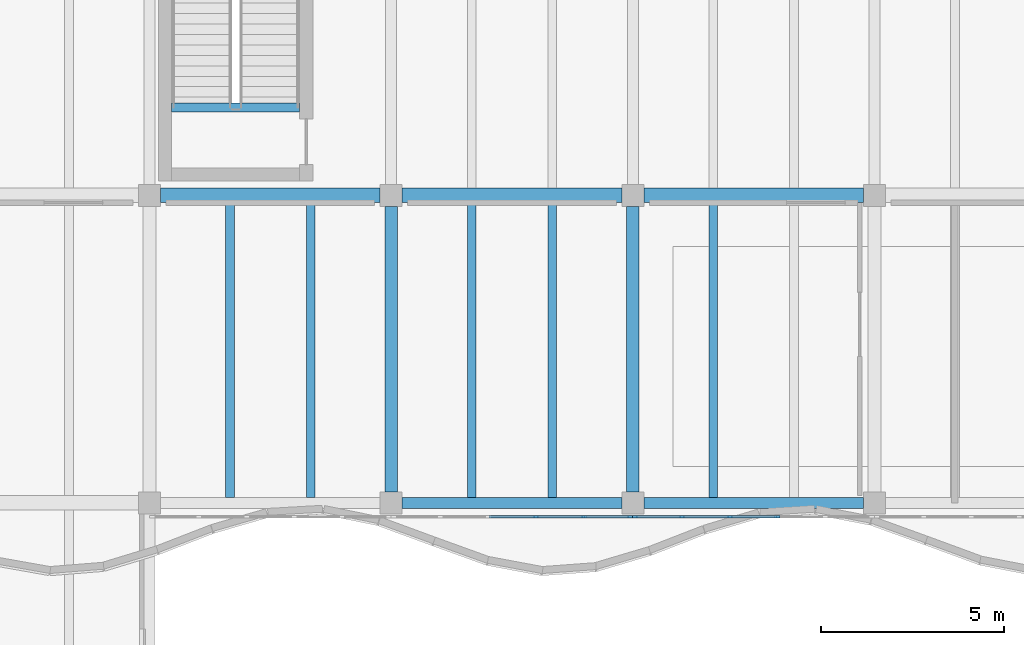
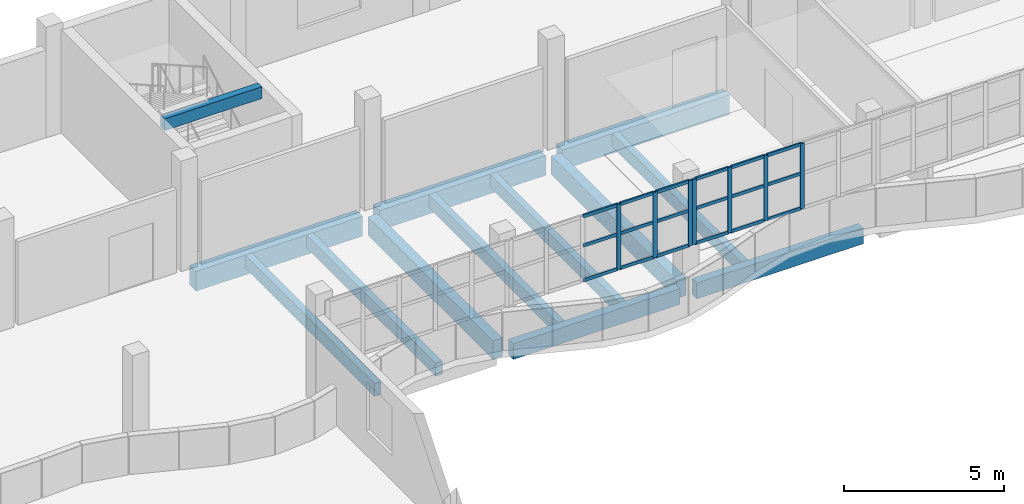
# One storey, part 11 of 74: 25 members, 13 beams, 2 elements without a shape of their own.
"""IFC4 building model written with IfcOpenShell, lengths in metres."""

import ifcopenshell
import ifcopenshell.guid

model = None  # the IFC model being written
_history = None  # IfcOwnerHistory: only IFC2X3 demands one
_inside = {}  # id of a spatial element -> (the spatial element, [elements in it])
_under = {}  # id of a project, library or spatial element -> (it, [spatial elements below it])
_declared = {}  # id of a project -> (the project, [libraries it declares])
_typed = {}  # id of a type object -> (the type object, [elements of that type])
_made_of = {}  # id of a material, layer set ... -> (it, [elements and type objects made of it])


def new_model(schema):
    """Start an empty IFC model of exactly this schema.

    Asked for "IFC4X3", IfcOpenShell would pick the latest addendum, in which some entities
    have other attributes; the version numbers below select the first issue.
    IFC2X3 requires an IfcOwnerHistory on every rooted entity: one is made here for all.
    """
    global model, _history
    if schema == "IFC4X3":
        model = ifcopenshell.file(schema_version=(4, 3, 0, 0))
    else:
        model = ifcopenshell.file(schema=schema)
    _inside.clear()
    _under.clear()
    _declared.clear()
    _typed.clear()
    _made_of.clear()
    _history = None
    if model.schema == "IFC2X3":
        org = make("IfcOrganization", Name="unknown")
        user = make(
            "IfcPersonAndOrganization",
            ThePerson=make("IfcPerson", FamilyName="unknown"),
            TheOrganization=org,
        )
        app = make(
            "IfcApplication",
            ApplicationDeveloper=org,
            Version="unknown",
            ApplicationFullName="unknown",
            ApplicationIdentifier="unknown",
        )
        _history = make(
            "IfcOwnerHistory",
            OwningUser=user,
            OwningApplication=app,
            ChangeAction="ADDED",
            CreationDate=0,
        )
    return model


def make(cls, **values):
    """One entity of the class cls with the attributes given. An attribute that is None is left unset."""
    return model.create_entity(
        cls, **{name: value for name, value in values.items() if value is not None}
    )


def rooted(cls, **values):
    """An entity with a GlobalId (a new one), such as an element, a storey or a relation."""
    return make(cls, GlobalId=ifcopenshell.guid.new(), OwnerHistory=_history, **values)


def si_unit(unit_type, name, prefix=None):
    """IfcSIUnit, for example si_unit("LENGTHUNIT", "METRE", prefix="MILLI")."""
    return make("IfcSIUnit", UnitType=unit_type, Prefix=prefix, Name=name)


def assignment(units):
    """IfcUnitAssignment: the units of a project."""
    return None if units is None else make("IfcUnitAssignment", Units=units)


def point(xyz):
    """IfcCartesianPoint."""
    return None if xyz is None else make("IfcCartesianPoint", Coordinates=xyz)


def direction(xyz):
    """IfcDirection."""
    return None if xyz is None else make("IfcDirection", DirectionRatios=xyz)


def frame(location, z_axis=None, x_axis=None):
    """IfcAxis2Placement3D, a coordinate frame: its origin and axes. An axis left out is left unset."""
    return make(
        "IfcAxis2Placement3D",
        Location=point(location),
        Axis=direction(z_axis),
        RefDirection=direction(x_axis),
    )


def frame_2d(location, x_axis=None):
    """IfcAxis2Placement2D, a coordinate frame in the plane: its origin and x axis."""
    return make(
        "IfcAxis2Placement2D", Location=point(location), RefDirection=direction(x_axis)
    )


def origin():
    """The frame at (0, 0, 0) with its axes left unset."""
    return frame((0.0, 0.0, 0.0))


def origin_2d():
    """The frame at (0, 0) in the plane with its x axis left unset."""
    return frame_2d((0.0, 0.0))


def place(relative_to, where):
    """IfcLocalPlacement: puts the frame where relative to a parent placement (None: the world)."""
    return make(
        "IfcLocalPlacement", PlacementRelTo=relative_to, RelativePlacement=where
    )


def context(
    kind, dimensions, precision=None, world=None, true_north=None, identifier=None
):
    """IfcGeometricRepresentationContext, for example the 3D "Model" context."""
    return make(
        "IfcGeometricRepresentationContext",
        ContextIdentifier=identifier,
        ContextType=kind,
        CoordinateSpaceDimension=dimensions,
        Precision=precision,
        WorldCoordinateSystem=world,
        TrueNorth=true_north,
    )


def subcontext(parent, identifier, kind, view, scale=None):
    """IfcGeometricRepresentationSubContext, for example "Body" below "Model"."""
    return make(
        "IfcGeometricRepresentationSubContext",
        ContextIdentifier=identifier,
        ContextType=kind,
        ParentContext=parent,
        TargetScale=scale,
        TargetView=view,
    )


def project(units=None, contexts=None):
    """IfcProject with its units and contexts."""
    return rooted(
        "IfcProject",
        Name="project",
        RepresentationContexts=contexts,
        UnitsInContext=assignment(units),
    )


def spatial(cls, under=None, at=None, **own):
    """A site, building, storey or space (cls), placed at a placement, below another one or the project."""
    s = rooted(cls, ObjectPlacement=at, **own)
    if under is not None:
        _under.setdefault(under.id(), (under, []))[1].append(s)
    return s


def profile(cls, at=None, kind="AREA", **sizes):
    """A parametric profile (cls). Its sizes go by their IFC names, for example OverallWidth=200.0."""
    return make(cls, ProfileType=kind, Position=at, **sizes)


def rectangle(**sizes):
    """IfcRectangleProfileDef."""
    return profile("IfcRectangleProfileDef", **sizes)


def extrude(swept, where, along, depth):
    """IfcExtrudedAreaSolid: the profile swept, set in the frame where, extruded along a direction by depth."""
    return make(
        "IfcExtrudedAreaSolid",
        SweptArea=swept,
        Position=where,
        ExtrudedDirection=direction(along),
        Depth=depth,
    )


def shape(context_of_items, identifier, shape_type, items):
    """IfcShapeRepresentation: the items that make up one representation, for example the "Body"."""
    return make(
        "IfcShapeRepresentation",
        ContextOfItems=context_of_items,
        RepresentationIdentifier=identifier,
        RepresentationType=shape_type,
        Items=items,
    )


def material(Name=None, Category=None):
    """IfcMaterial."""
    return make("IfcMaterial", Name=Name, Category=Category)


def material_profile(
    of_material, cross_section, Name=None, Category=None, Priority=None
):
    """IfcMaterialProfile: a cross section and its material."""
    return make(
        "IfcMaterialProfile",
        Name=Name,
        Material=of_material,
        Profile=cross_section,
        Priority=Priority,
        Category=Category,
    )


def profile_set(profiles, Name=None, composite=None):
    """IfcMaterialProfileSet."""
    return make(
        "IfcMaterialProfileSet",
        Name=Name,
        MaterialProfiles=profiles,
        CompositeProfile=composite,
    )


def made_of(thing, what):
    """Note that an element or type object is made of a material, layer set ...; save() writes the relation."""
    if what is not None:
        _made_of.setdefault(what.id(), (what, []))[1].append(thing)
    return thing


def type_object(cls, material=None, **own):
    """A type object (cls), such as IfcWallType, which elements share."""
    return made_of(rooted(cls, **own), material)


def element(
    cls,
    number,
    at=None,
    inside=None,
    cuts=None,
    type_object=None,
    material=None,
    context=None,
    identifier="Body",
    shape_type=None,
    held_by="IfcProductDefinitionShape",
    body=None,
    shapes=None,
    **own,
):
    """One element of the class cls, such as IfcWall. Its Tag is "e" and its number.

    at: its placement. inside: the storey or other place that contains it. cuts: it is an
    opening in that element (IfcRelVoidsElement). A single representation is given by context,
    identifier, shape_type and body (its items); several are given by shapes. held_by: the class
    of the entity that holds the representations. save() writes the other relations.
    """
    e = rooted(cls, Tag="e%d" % number, ObjectPlacement=at, **own)
    if body is not None:
        shapes = [shape(context, identifier, shape_type, body)]
    if shapes is not None:
        e.Representation = make(held_by, Representations=shapes)
    if inside is not None:
        _inside.setdefault(inside.id(), (inside, []))[1].append(e)
    if cuts is not None:
        rooted(
            "IfcRelVoidsElement", RelatingBuildingElement=cuts, RelatedOpeningElement=e
        )
    if type_object is not None:
        _typed.setdefault(type_object.id(), (type_object, []))[1].append(e)
    return made_of(e, material)


def aggregate(whole, parts):
    """IfcRelAggregates: a whole, such as a stair, and the parts it consists of."""
    return rooted("IfcRelAggregates", RelatingObject=whole, RelatedObjects=parts)


def save(model, path):
    """Write the relations noted so far, then the file.

    IfcRelAggregates (storeys below a building ...), IfcRelContainedInSpatialStructure (elements
    in a storey), IfcRelDefinesByType, IfcRelAssociatesMaterial and IfcRelDeclares: one each for
    every whole, place, type object, material and project.
    """
    for whole, parts in _under.values():
        aggregate(whole, parts)
    for where, things in _inside.values():
        rooted(
            "IfcRelContainedInSpatialStructure",
            RelatedElements=things,
            RelatingStructure=where,
        )
    for kind, things in _typed.values():
        rooted("IfcRelDefinesByType", RelatedObjects=things, RelatingType=kind)
    for what, things in _made_of.values():
        rooted("IfcRelAssociatesMaterial", RelatedObjects=things, RelatingMaterial=what)
    for by, libraries in _declared.values():
        rooted("IfcRelDeclares", RelatingContext=by, RelatedDefinitions=libraries)
    model.write(path)


model = new_model("IFC4")

# Units and contexts
model_context = context("Model", 3, precision=1e-05, world=origin(), true_north=direction((0.0, 1.0)))
body_context = subcontext(model_context, "Body", "Model", "MODEL_VIEW")
ifc_project = project(units=[si_unit("LENGTHUNIT", "METRE"), si_unit("AREAUNIT", "SQUARE_METRE"), si_unit("VOLUMEUNIT", "CUBIC_METRE"), si_unit("PLANEANGLEUNIT", "RADIAN"), si_unit("MASSUNIT", "GRAM", prefix="KILO")], contexts=[model_context])

# Site, building, storey
site_placement = place(None, origin())
site = spatial("IfcSite", under=ifc_project, at=site_placement, CompositionType="ELEMENT")
building_placement = place(site_placement, origin())
building = spatial("IfcBuilding", under=site, at=building_placement, Name="Qaldarim Faculty of Natural and Applied Sciences", CompositionType="ELEMENT")
storey_placement = place(building_placement, frame((0.0, 0.0, 14.39990234375)))
storey = spatial("IfcBuildingStorey", under=building, at=storey_placement, Name="L03", CompositionType="ELEMENT", Elevation=14.39990234375)

# Beams
ifc_material_1 = material(Name="Concrete C40/50", Category="concrete")
ifc_material_profile_1 = material_profile(ifc_material_1, rectangle(XDim=0.239990234375, YDim=0.5, at=origin_2d()), Name="RC-J240x500")
ifc_profile_set_1 = profile_set([ifc_material_profile_1], Name="Concrete C40/50")
beam_type_1 = type_object("IfcBeamType", Name="HeavyJoist-RC240x500", PredefinedType="JOIST", material=ifc_profile_set_1)
for number, where, z_axis, x_axis, name in (
    (1, (48.39990234375, 100.949951171875, -0.510009765625), (0.0, 1.0, 0.0), (-1.0, 0.0, 0.0), "Laboratory joist L02 bay X08Y13-1"),
    (2, (50.60009765625, 100.949951171875, -0.510009765625), (0.0, 1.0, 0.0), (-1.0, 0.0, 0.0), "Laboratory joist L02 bay X08Y13-2"),
    (3, (55.0, 100.949951171875, -0.510009765625), (0.0, 1.0, 0.0), (-1.0, 0.0, 0.0), "Laboratory joist L02 bay X09Y13-1"),
    (4, (57.199951171875, 100.949951171875, -0.510009765625), (0.0, 1.0, 0.0), (-1.0, 0.0, 0.0), "Laboratory joist L02 bay X09Y13-2"),
    (5, (61.60009765625, 100.949951171875, -0.510009765625), (0.0, 1.0, 0.0), (-1.0, 0.0, 0.0), "Laboratory joist L02 bay X10Y13-1"),
):
    element("IfcBeam", number, at=place(storey_placement, frame(where, z_axis=z_axis, x_axis=x_axis)), inside=storey, type_object=beam_type_1, Name=name, PredefinedType="JOIST", context=body_context, shape_type="SweptSolid", body=[
        extrude(rectangle(XDim=0.239990234375, YDim=0.5, at=origin_2d()), origin(), (0.0, 0.0, 1.0), 8.050048828125),
    ])
ifc_material_2 = material(Name="Concrete C50/60", Category="concrete")
ifc_material_profile_2 = material_profile(ifc_material_2, rectangle(XDim=0.39990234375, YDim=0.75, at=origin_2d()), Name="RC-B400x750")
ifc_profile_set_2 = profile_set([ifc_material_profile_2], Name="Concrete C50/60")
beam_type_2 = type_object("IfcBeamType", Name="LabGirder-RC400x750", PredefinedType="BEAM", material=ifc_profile_set_2)
for number, where, z_axis, x_axis, name in (
    (6, (46.5, 109.199951171875, -0.635009765625), (1.0, 0.0, 0.0), (0.0, 1.0, 0.0), "Beam RC-B400x750 L02 X08-X09/Y14"),
    (7, (53.10009765625, 109.199951171875, -0.635009765625), (1.0, 0.0, 0.0), (0.0, 1.0, 0.0), "Beam RC-B400x750 L02 X09-X10/Y14"),
    (8, (59.699951171875, 109.199951171875, -0.635009765625), (1.0, 0.0, 0.0), (0.0, 1.0, 0.0), "Beam RC-B400x750 L02 X10-X11/Y14"),
):
    element("IfcBeam", number, at=place(storey_placement, frame(where, z_axis=z_axis, x_axis=x_axis)), inside=storey, type_object=beam_type_2, Name=name, PredefinedType="BEAM", context=body_context, shape_type="SweptSolid", body=[
        extrude(rectangle(XDim=0.39990234375, YDim=0.75, at=origin_2d()), origin(), (0.0, 0.0, 1.0), 6.0),
    ])
ifc_material_profile_3 = material_profile(ifc_material_1, rectangle(XDim=0.25, YDim=0.449951171875, at=origin_2d()), Name="RC-LN250x450")
ifc_profile_set_3 = profile_set([ifc_material_profile_3], Name="Concrete C40/50")
beam_type_3 = type_object("IfcBeamType", Name="LandingSupportBeam-RC250x450", PredefinedType="BEAM", material=ifc_profile_set_3)
beam_placement = place(storey_placement, frame((46.800048828125, 111.60009765625, 3.715087890625), z_axis=(1.0, 0.0, 0.0), x_axis=(0.0, 1.0, 0.0)))
element("IfcBeam", 9, at=beam_placement, inside=storey, type_object=beam_type_3, Name="Stair arrival support beam ST-B2 L03", PredefinedType="BEAM", context=body_context, shape_type="SweptSolid", body=[
    extrude(rectangle(XDim=0.25, YDim=0.449951171875, at=origin_2d()), origin(), (0.0, 0.0, 1.0), 3.5),
])

# Curtain wall, members
ifc_material_3 = material(Name="Anodised aluminium AW-6063", Category="aluminium")
curtain_wall_type = type_object("IfcCurtainWallType", Name="CurtainWallSystem-M1400", PredefinedType="USERDEFINED", material=ifc_material_3)
curtain_wall_1_placement = place(storey_placement, origin())
curtain_wall_1 = element("IfcCurtainWall", 10, at=curtain_wall_1_placement, inside=storey, type_object=curtain_wall_type, Name="Curtain wall CW-V4RIB-L03-X09", ObjectType="STICK CURTAIN WALL", PredefinedType="USERDEFINED")
ifc_material_profile_4 = material_profile(ifc_material_3, rectangle(XDim=0.06005859375, YDim=0.14990234375, at=origin_2d()), Name="ALU-M60x150")
ifc_profile_set_4 = profile_set([ifc_material_profile_4], Name="Anodised aluminium AW-6063")
member_type_1 = type_object("IfcMemberType", Name="Mullion-ALU60x150", PredefinedType="MULLION", material=ifc_profile_set_4)
member_1_placement = place(storey_placement, frame((56.751953125, 100.419921875, 1.4501953125), z_axis=(0.0, 0.0, 1.0), x_axis=(0.0, 1.0, 0.0)))
member_1 = element("IfcMember", 11, at=member_1_placement, type_object=member_type_1, Name="Mullion 4 of CW-V4RIB-L03-X09", PredefinedType="MULLION", context=body_context, shape_type="SweptSolid", body=[
    extrude(rectangle(XDim=0.06005859375, YDim=0.14990234375, at=origin_2d()), origin(), (0.0, 0.0, 1.0), 2.489990234375),
])
member_2_placement = place(storey_placement, frame((58.055908203125, 100.419921875, 1.4501953125), z_axis=(0.0, 0.0, 1.0), x_axis=(0.0, 1.0, 0.0)))
member_2 = element("IfcMember", 12, at=member_2_placement, type_object=member_type_1, Name="Mullion 5 of CW-V4RIB-L03-X09", PredefinedType="MULLION", context=body_context, shape_type="SweptSolid", body=[
    extrude(rectangle(XDim=0.06005859375, YDim=0.14990234375, at=origin_2d()), origin(), (0.0, 0.0, 1.0), 2.489990234375),
])
member_3_placement = place(storey_placement, frame((59.330078125, 100.419921875, 1.4501953125), z_axis=(0.0, 0.0, 1.0), x_axis=(0.0, 1.0, 0.0)))
member_3 = element("IfcMember", 13, at=member_3_placement, type_object=member_type_1, Name="Mullion 6 of CW-V4RIB-L03-X09", PredefinedType="MULLION", context=body_context, shape_type="SweptSolid", body=[
    extrude(rectangle(XDim=0.06005859375, YDim=0.14990234375, at=origin_2d()), origin(), (0.0, 0.0, 1.0), 2.489990234375),
])

curtain_wall_2_placement = place(storey_placement, origin())
curtain_wall_2 = element("IfcCurtainWall", 14, at=curtain_wall_2_placement, inside=storey, type_object=curtain_wall_type, Name="Curtain wall CW-V4RIB-L03-X10", ObjectType="STICK CURTAIN WALL", PredefinedType="USERDEFINED")
member_4_placement = place(storey_placement, frame((59.469970703125, 100.419921875, 1.4501953125), z_axis=(0.0, 0.0, 1.0), x_axis=(0.0, 1.0, 0.0)))
member_4 = element("IfcMember", 15, at=member_4_placement, type_object=member_type_1, Name="Mullion 1 of CW-V4RIB-L03-X10", PredefinedType="MULLION", context=body_context, shape_type="SweptSolid", body=[
    extrude(rectangle(XDim=0.06005859375, YDim=0.14990234375, at=origin_2d()), origin(), (0.0, 0.0, 1.0), 2.489990234375),
])
member_5_placement = place(storey_placement, frame((60.743896484375, 100.419921875, 1.4501953125), z_axis=(0.0, 0.0, 1.0), x_axis=(0.0, 1.0, 0.0)))
member_5 = element("IfcMember", 16, at=member_5_placement, type_object=member_type_1, Name="Mullion 2 of CW-V4RIB-L03-X10", PredefinedType="MULLION", context=body_context, shape_type="SweptSolid", body=[
    extrude(rectangle(XDim=0.06005859375, YDim=0.14990234375, at=origin_2d()), origin(), (0.0, 0.0, 1.0), 2.489990234375),
])
member_6_placement = place(storey_placement, frame((62.048095703125, 100.419921875, 1.4501953125), z_axis=(0.0, 0.0, 1.0), x_axis=(0.0, 1.0, 0.0)))
member_6 = element("IfcMember", 17, at=member_6_placement, type_object=member_type_1, Name="Mullion 3 of CW-V4RIB-L03-X10", PredefinedType="MULLION", context=body_context, shape_type="SweptSolid", body=[
    extrude(rectangle(XDim=0.06005859375, YDim=0.14990234375, at=origin_2d()), origin(), (0.0, 0.0, 1.0), 2.489990234375),
])
member_7_placement = place(storey_placement, frame((63.35205078125, 100.419921875, 1.4501953125), z_axis=(0.0, 0.0, 1.0), x_axis=(0.0, 1.0, 0.0)))
member_7 = element("IfcMember", 18, at=member_7_placement, type_object=member_type_1, Name="Mullion 4 of CW-V4RIB-L03-X10", PredefinedType="MULLION", context=body_context, shape_type="SweptSolid", body=[
    extrude(rectangle(XDim=0.06005859375, YDim=0.14990234375, at=origin_2d()), origin(), (0.0, 0.0, 1.0), 2.489990234375),
])

# Beams
ifc_material_profile_5 = material_profile(ifc_material_1, rectangle(XDim=0.35009765625, YDim=0.699951171875, at=origin_2d()), Name="RC-B350x700")
ifc_profile_set_5 = profile_set([ifc_material_profile_5], Name="Concrete C40/50")
beam_type_4 = type_object("IfcBeamType", Name="PrimaryGirder-RC350x700", PredefinedType="BEAM", material=ifc_profile_set_5)
for number, where, z_axis, x_axis, name in (
    (19, (52.800048828125, 101.10009765625, -0.60986328125), (0.0, 1.0, 0.0), (-1.0, 0.0, 0.0), "Beam RC-B350x700 L02 X09/Y13-Y14"),
    (20, (59.39990234375, 101.10009765625, -0.60986328125), (0.0, 1.0, 0.0), (-1.0, 0.0, 0.0), "Beam RC-B350x700 L02 X10/Y13-Y14"),
):
    element("IfcBeam", number, at=place(storey_placement, frame(where, z_axis=z_axis, x_axis=x_axis)), inside=storey, type_object=beam_type_4, Name=name, PredefinedType="BEAM", context=body_context, shape_type="SweptSolid", body=[
        extrude(rectangle(XDim=0.35009765625, YDim=0.699951171875, at=origin_2d()), origin(), (0.0, 0.0, 1.0), 7.7998046875),
    ])
ifc_material_4 = material(Name="Precast concrete C40/50", Category="concrete")
ifc_material_profile_6 = material_profile(ifc_material_4, rectangle(XDim=0.300048828125, YDim=0.60009765625, at=origin_2d()), Name="RC-SP300x600")
ifc_profile_set_6 = profile_set([ifc_material_profile_6], Name="Precast concrete C40/50")
beam_type_5 = type_object("IfcBeamType", Name="SpandrelBeam-RC300x600", PredefinedType="SPANDREL", material=ifc_profile_set_6)
for number, where, z_axis, x_axis, name in (
    (21, (53.10009765625, 100.800048828125, -0.559814453125), (1.0, 0.0, 0.0), (0.0, 1.0, 0.0), "Beam RC-SP300x600 L02 X09-X10/Y13"),
    (22, (59.699951171875, 100.800048828125, -0.559814453125), (1.0, 0.0, 0.0), (0.0, 1.0, 0.0), "Beam RC-SP300x600 L02 X10-X11/Y13"),
):
    element("IfcBeam", number, at=place(storey_placement, frame(where, z_axis=z_axis, x_axis=x_axis)), inside=storey, type_object=beam_type_5, Name=name, PredefinedType="SPANDREL", context=body_context, shape_type="SweptSolid", body=[
        extrude(rectangle(XDim=0.300048828125, YDim=0.60009765625, at=origin_2d()), origin(), (0.0, 0.0, 1.0), 6.0),
    ])

# Member
ifc_material_profile_7 = material_profile(ifc_material_3, rectangle(XDim=0.06005859375, YDim=0.1201171875, at=origin_2d()), Name="ALU-T60x120")
ifc_profile_set_7 = profile_set([ifc_material_profile_7], Name="Anodised aluminium AW-6063")
member_type_2 = type_object("IfcMemberType", Name="Transom-ALU60x120", PredefinedType="USERDEFINED", material=ifc_profile_set_7)
member_8_placement = place(storey_placement, frame((55.47802734375, 100.419921875, 1.47998046875), z_axis=(1.0, 0.0, 0.0), x_axis=(0.0, 1.0, 0.0)))
member_8 = element("IfcMember", 23, at=member_8_placement, type_object=member_type_2, Name="Transom 3-1 of CW-V4RIB-L03-X09", ObjectType="TRANSOM", PredefinedType="USERDEFINED", context=body_context, shape_type="SweptSolid", body=[
    extrude(rectangle(XDim=0.06005859375, YDim=0.1201171875, at=origin_2d()), origin(), (0.0, 0.0, 1.0), 1.243896484375),
])

member_9_placement = place(storey_placement, frame((55.47802734375, 100.419921875, 2.800048828125), z_axis=(1.0, 0.0, 0.0), x_axis=(0.0, 1.0, 0.0)))
member_9 = element("IfcMember", 24, at=member_9_placement, type_object=member_type_2, Name="Transom 3-2 of CW-V4RIB-L03-X09", ObjectType="TRANSOM", PredefinedType="USERDEFINED", context=body_context, shape_type="SweptSolid", body=[
    extrude(rectangle(XDim=0.06005859375, YDim=0.1201171875, at=origin_2d()), origin(), (0.0, 0.0, 1.0), 1.243896484375),
])

member_10_placement = place(storey_placement, frame((55.47802734375, 100.419921875, 3.91015625), z_axis=(1.0, 0.0, 0.0), x_axis=(0.0, 1.0, 0.0)))
member_10 = element("IfcMember", 25, at=member_10_placement, type_object=member_type_2, Name="Transom 3-3 of CW-V4RIB-L03-X09", ObjectType="TRANSOM", PredefinedType="USERDEFINED", context=body_context, shape_type="SweptSolid", body=[
    extrude(rectangle(XDim=0.06005859375, YDim=0.1201171875, at=origin_2d()), origin(), (0.0, 0.0, 1.0), 1.243896484375),
])

member_11_placement = place(storey_placement, frame((56.781982421875, 100.419921875, 1.47998046875), z_axis=(1.0, 0.0, 0.0), x_axis=(0.0, 1.0, 0.0)))
member_11 = element("IfcMember", 26, at=member_11_placement, type_object=member_type_2, Name="Transom 4-1 of CW-V4RIB-L03-X09", ObjectType="TRANSOM", PredefinedType="USERDEFINED", context=body_context, shape_type="SweptSolid", body=[
    extrude(rectangle(XDim=0.06005859375, YDim=0.1201171875, at=origin_2d()), origin(), (0.0, 0.0, 1.0), 1.243896484375),
])

member_12_placement = place(storey_placement, frame((56.781982421875, 100.419921875, 2.800048828125), z_axis=(1.0, 0.0, 0.0), x_axis=(0.0, 1.0, 0.0)))
member_12 = element("IfcMember", 27, at=member_12_placement, type_object=member_type_2, Name="Transom 4-2 of CW-V4RIB-L03-X09", ObjectType="TRANSOM", PredefinedType="USERDEFINED", context=body_context, shape_type="SweptSolid", body=[
    extrude(rectangle(XDim=0.06005859375, YDim=0.1201171875, at=origin_2d()), origin(), (0.0, 0.0, 1.0), 1.243896484375),
])

member_13_placement = place(storey_placement, frame((56.781982421875, 100.419921875, 3.91015625), z_axis=(1.0, 0.0, 0.0), x_axis=(0.0, 1.0, 0.0)))
member_13 = element("IfcMember", 28, at=member_13_placement, type_object=member_type_2, Name="Transom 4-3 of CW-V4RIB-L03-X09", ObjectType="TRANSOM", PredefinedType="USERDEFINED", context=body_context, shape_type="SweptSolid", body=[
    extrude(rectangle(XDim=0.06005859375, YDim=0.1201171875, at=origin_2d()), origin(), (0.0, 0.0, 1.0), 1.243896484375),
])

member_14_placement = place(storey_placement, frame((58.0859375, 100.419921875, 1.47998046875), z_axis=(1.0, 0.0, 0.0), x_axis=(0.0, 1.0, 0.0)))
member_14 = element("IfcMember", 29, at=member_14_placement, type_object=member_type_2, Name="Transom 5-1 of CW-V4RIB-L03-X09", ObjectType="TRANSOM", PredefinedType="USERDEFINED", context=body_context, shape_type="SweptSolid", body=[
    extrude(rectangle(XDim=0.06005859375, YDim=0.1201171875, at=origin_2d()), origin(), (0.0, 0.0, 1.0), 1.214111328125),
])

member_15_placement = place(storey_placement, frame((58.0859375, 100.419921875, 2.800048828125), z_axis=(1.0, 0.0, 0.0), x_axis=(0.0, 1.0, 0.0)))
member_15 = element("IfcMember", 30, at=member_15_placement, type_object=member_type_2, Name="Transom 5-2 of CW-V4RIB-L03-X09", ObjectType="TRANSOM", PredefinedType="USERDEFINED", context=body_context, shape_type="SweptSolid", body=[
    extrude(rectangle(XDim=0.06005859375, YDim=0.1201171875, at=origin_2d()), origin(), (0.0, 0.0, 1.0), 1.214111328125),
])

member_16_placement = place(storey_placement, frame((58.0859375, 100.419921875, 3.91015625), z_axis=(1.0, 0.0, 0.0), x_axis=(0.0, 1.0, 0.0)))
member_16 = element("IfcMember", 31, at=member_16_placement, type_object=member_type_2, Name="Transom 5-3 of CW-V4RIB-L03-X09", ObjectType="TRANSOM", PredefinedType="USERDEFINED", context=body_context, shape_type="SweptSolid", body=[
    extrude(rectangle(XDim=0.06005859375, YDim=0.1201171875, at=origin_2d()), origin(), (0.0, 0.0, 1.0), 1.214111328125),
])

aggregate(curtain_wall_1, [member_1, member_2, member_3, member_8, member_9, member_10, member_11, member_12, member_13, member_14, member_15, member_16])

member_17_placement = place(storey_placement, frame((59.5, 100.419921875, 1.47998046875), z_axis=(1.0, 0.0, 0.0), x_axis=(0.0, 1.0, 0.0)))
member_17 = element("IfcMember", 32, at=member_17_placement, type_object=member_type_2, Name="Transom 1-1 of CW-V4RIB-L03-X10", ObjectType="TRANSOM", PredefinedType="USERDEFINED", context=body_context, shape_type="SweptSolid", body=[
    extrude(rectangle(XDim=0.06005859375, YDim=0.1201171875, at=origin_2d()), origin(), (0.0, 0.0, 1.0), 1.214111328125),
])

member_18_placement = place(storey_placement, frame((59.5, 100.419921875, 2.800048828125), z_axis=(1.0, 0.0, 0.0), x_axis=(0.0, 1.0, 0.0)))
member_18 = element("IfcMember", 33, at=member_18_placement, type_object=member_type_2, Name="Transom 1-2 of CW-V4RIB-L03-X10", ObjectType="TRANSOM", PredefinedType="USERDEFINED", context=body_context, shape_type="SweptSolid", body=[
    extrude(rectangle(XDim=0.06005859375, YDim=0.1201171875, at=origin_2d()), origin(), (0.0, 0.0, 1.0), 1.214111328125),
])

member_19_placement = place(storey_placement, frame((59.5, 100.419921875, 3.91015625), z_axis=(1.0, 0.0, 0.0), x_axis=(0.0, 1.0, 0.0)))
member_19 = element("IfcMember", 34, at=member_19_placement, type_object=member_type_2, Name="Transom 1-3 of CW-V4RIB-L03-X10", ObjectType="TRANSOM", PredefinedType="USERDEFINED", context=body_context, shape_type="SweptSolid", body=[
    extrude(rectangle(XDim=0.06005859375, YDim=0.1201171875, at=origin_2d()), origin(), (0.0, 0.0, 1.0), 1.214111328125),
])

member_20_placement = place(storey_placement, frame((60.77392578125, 100.419921875, 1.47998046875), z_axis=(1.0, 0.0, 0.0), x_axis=(0.0, 1.0, 0.0)))
member_20 = element("IfcMember", 35, at=member_20_placement, type_object=member_type_2, Name="Transom 2-1 of CW-V4RIB-L03-X10", ObjectType="TRANSOM", PredefinedType="USERDEFINED", context=body_context, shape_type="SweptSolid", body=[
    extrude(rectangle(XDim=0.06005859375, YDim=0.1201171875, at=origin_2d()), origin(), (0.0, 0.0, 1.0), 1.244140625),
])

member_21_placement = place(storey_placement, frame((60.77392578125, 100.419921875, 2.800048828125), z_axis=(1.0, 0.0, 0.0), x_axis=(0.0, 1.0, 0.0)))
member_21 = element("IfcMember", 36, at=member_21_placement, type_object=member_type_2, Name="Transom 2-2 of CW-V4RIB-L03-X10", ObjectType="TRANSOM", PredefinedType="USERDEFINED", context=body_context, shape_type="SweptSolid", body=[
    extrude(rectangle(XDim=0.06005859375, YDim=0.1201171875, at=origin_2d()), origin(), (0.0, 0.0, 1.0), 1.244140625),
])

member_22_placement = place(storey_placement, frame((60.77392578125, 100.419921875, 3.91015625), z_axis=(1.0, 0.0, 0.0), x_axis=(0.0, 1.0, 0.0)))
member_22 = element("IfcMember", 37, at=member_22_placement, type_object=member_type_2, Name="Transom 2-3 of CW-V4RIB-L03-X10", ObjectType="TRANSOM", PredefinedType="USERDEFINED", context=body_context, shape_type="SweptSolid", body=[
    extrude(rectangle(XDim=0.06005859375, YDim=0.1201171875, at=origin_2d()), origin(), (0.0, 0.0, 1.0), 1.244140625),
])

member_23_placement = place(storey_placement, frame((62.077880859375, 100.419921875, 1.47998046875), z_axis=(1.0, 0.0, 0.0), x_axis=(0.0, 1.0, 0.0)))
member_23 = element("IfcMember", 38, at=member_23_placement, type_object=member_type_2, Name="Transom 3-1 of CW-V4RIB-L03-X10", ObjectType="TRANSOM", PredefinedType="USERDEFINED", context=body_context, shape_type="SweptSolid", body=[
    extrude(rectangle(XDim=0.06005859375, YDim=0.1201171875, at=origin_2d()), origin(), (0.0, 0.0, 1.0), 1.244140625),
])

member_24_placement = place(storey_placement, frame((62.077880859375, 100.419921875, 2.800048828125), z_axis=(1.0, 0.0, 0.0), x_axis=(0.0, 1.0, 0.0)))
member_24 = element("IfcMember", 39, at=member_24_placement, type_object=member_type_2, Name="Transom 3-2 of CW-V4RIB-L03-X10", ObjectType="TRANSOM", PredefinedType="USERDEFINED", context=body_context, shape_type="SweptSolid", body=[
    extrude(rectangle(XDim=0.06005859375, YDim=0.1201171875, at=origin_2d()), origin(), (0.0, 0.0, 1.0), 1.244140625),
])

member_25_placement = place(storey_placement, frame((62.077880859375, 100.419921875, 3.91015625), z_axis=(1.0, 0.0, 0.0), x_axis=(0.0, 1.0, 0.0)))
member_25 = element("IfcMember", 40, at=member_25_placement, type_object=member_type_2, Name="Transom 3-3 of CW-V4RIB-L03-X10", ObjectType="TRANSOM", PredefinedType="USERDEFINED", context=body_context, shape_type="SweptSolid", body=[
    extrude(rectangle(XDim=0.06005859375, YDim=0.1201171875, at=origin_2d()), origin(), (0.0, 0.0, 1.0), 1.244140625),
])

aggregate(curtain_wall_2, [member_4, member_5, member_6, member_7, member_17, member_18, member_19, member_20, member_21, member_22, member_23, member_24, member_25])

save(model, "model.ifc")
